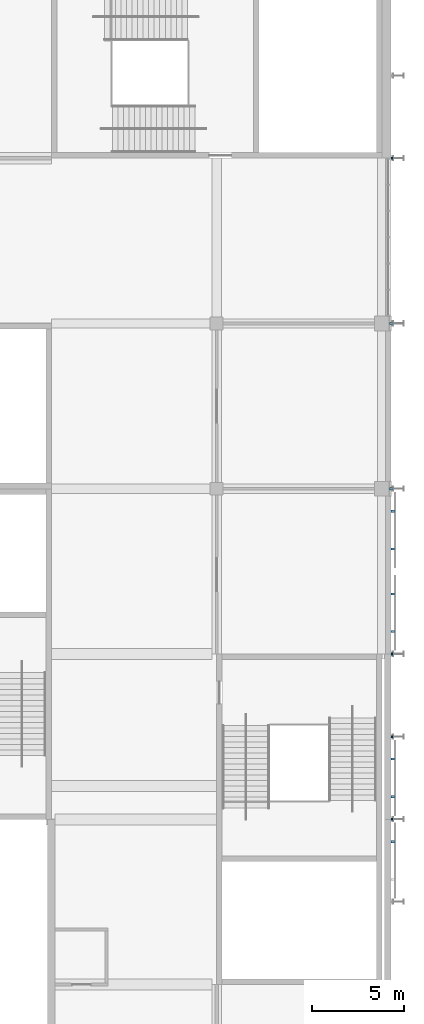
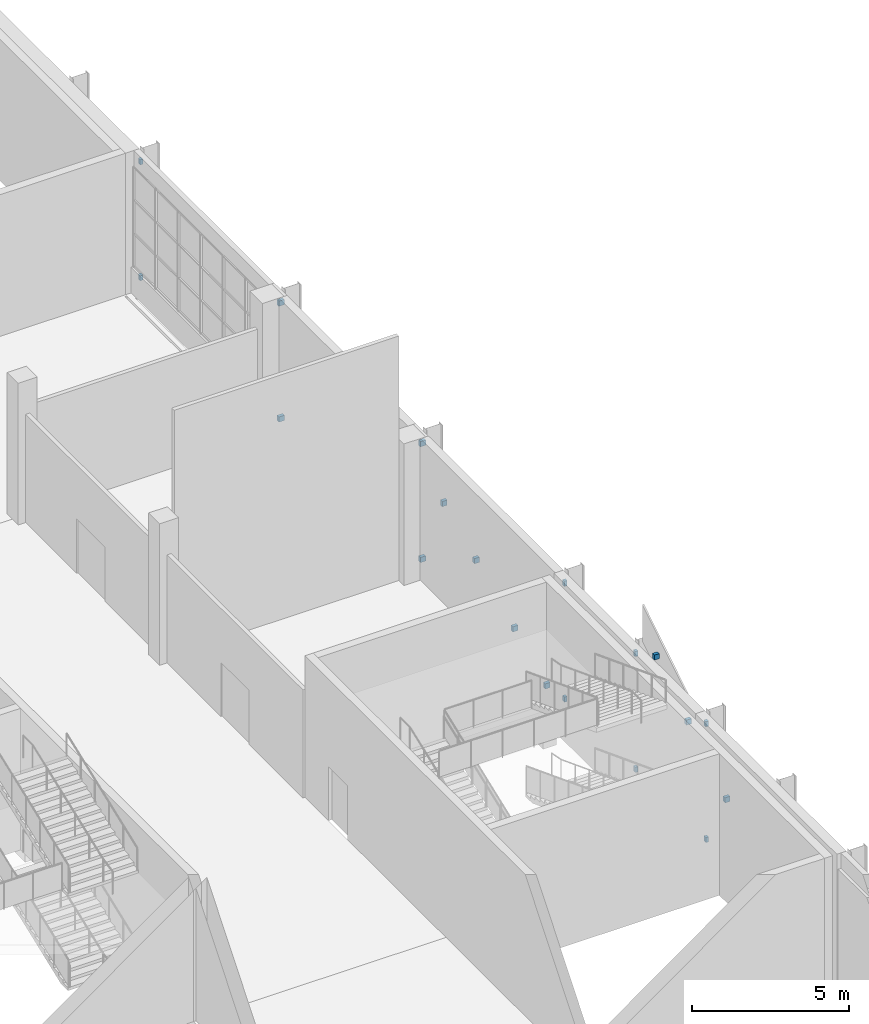
# One storey, part 58 of 84: 19 discrete accessories.
"""IFC4 building model written with IfcOpenShell, lengths in metres."""

from ifc_helpers import new_model, si_unit, direction, frame, origin, origin_2d, place, context, subcontext, project, spatial, rectangle, extrude, material, type_object, element, save


model = new_model("IFC4")

# Units and contexts
model_context = context("Model", 3, precision=1e-05, world=origin(), true_north=direction((0.0, 1.0)))
body_context = subcontext(model_context, "Body", "Model", "MODEL_VIEW")
ifc_project = project(units=[si_unit("LENGTHUNIT", "METRE"), si_unit("AREAUNIT", "SQUARE_METRE"), si_unit("VOLUMEUNIT", "CUBIC_METRE"), si_unit("PLANEANGLEUNIT", "RADIAN"), si_unit("MASSUNIT", "GRAM", prefix="KILO")], contexts=[model_context])

# Site, building, storey
site_placement = place(None, origin())
site = spatial("IfcSite", under=ifc_project, at=site_placement, CompositionType="ELEMENT")
building_placement = place(site_placement, origin())
building = spatial("IfcBuilding", under=site, at=building_placement, Name="Silverbay Arena", CompositionType="ELEMENT")
storey_placement = place(building_placement, frame((0.0, 0.0, 28.0)))
storey = spatial("IfcBuildingStorey", under=building, at=storey_placement, Name="L04", CompositionType="ELEMENT", Elevation=28.0)

# Discrete accessories
ifc_material = material(Name="Steel S355", Category="steel")
discrete_accessory_type = type_object("IfcDiscreteAccessoryType", Name="Steel bracket plate", PredefinedType="BRACKET", material=ifc_material)
for number, where, z_axis, x_axis, name in (
    (1, (207.550048828125, 99.0, 0.39990234375), (0.0, 0.0, 1.0), (1.0, 0.0, 0.0), "Fin bracket"),
    (2, (207.550048828125, 99.0, 4.89990234375), (0.0, 0.0, 1.0), (1.0, 0.0, 0.0), "Fin bracket"),
    (3, (207.550048828125, 103.5, 0.39990234375), (0.0, 0.0, 1.0), (1.0, 0.0, 0.0), "Fin bracket"),
    (4, (207.550048828125, 103.5, 4.89990234375), (0.0, 0.0, 1.0), (1.0, 0.0, 0.0), "Fin bracket"),
    (5, (207.550048828125, 108.0, 0.39990234375), (0.0, 0.0, 1.0), (1.0, 0.0, 0.0), "Fin bracket"),
    (6, (207.550048828125, 108.0, 4.89990234375), (0.0, 0.0, 1.0), (1.0, 0.0, 0.0), "Fin bracket"),
):
    element("IfcDiscreteAccessory", number, at=place(storey_placement, frame(where, z_axis=z_axis, x_axis=x_axis)), inside=storey, type_object=discrete_accessory_type, Name=name, PredefinedType="BRACKET", context=body_context, shape_type="SweptSolid", body=[
        extrude(rectangle(XDim=0.10009765625, YDim=0.1201171875, at=origin_2d()), origin(), (0.0, 0.0, 1.0), 0.199951171875),
    ])
for number, where, z_axis, x_axis, name in (
    (7, (207.5, 117.0, 0.39990234375), (0.0, 0.0, 1.0), (1.0, 0.0, 0.0), "Fin bracket"),
    (8, (207.5, 117.0, 4.89990234375), (0.0, 0.0, 1.0), (1.0, 0.0, 0.0), "Fin bracket"),
    (9, (207.5, 126.0, 0.39990234375), (0.0, 0.0, 1.0), (1.0, 0.0, 0.0), "Fin bracket"),
    (10, (207.5, 126.0, 4.89990234375), (0.0, 0.0, 1.0), (1.0, 0.0, 0.0), "Fin bracket"),
):
    element("IfcDiscreteAccessory", number, at=place(storey_placement, frame(where, z_axis=z_axis, x_axis=x_axis)), inside=storey, type_object=discrete_accessory_type, Name=name, PredefinedType="BRACKET", context=body_context, shape_type="SweptSolid", body=[
        extrude(rectangle(XDim=0.199951171875, YDim=0.1201171875, at=origin_2d()), origin(), (0.0, 0.0, 1.0), 0.199951171875),
    ])
for number, where, z_axis, x_axis, name in (
    (11, (207.550048828125, 135.0, 0.39990234375), (0.0, 0.0, 1.0), (1.0, 0.0, 0.0), "Fin bracket"),
    (12, (207.550048828125, 135.0, 4.89990234375), (0.0, 0.0, 1.0), (1.0, 0.0, 0.0), "Fin bracket"),
):
    element("IfcDiscreteAccessory", number, at=place(storey_placement, frame(where, z_axis=z_axis, x_axis=x_axis)), inside=storey, type_object=discrete_accessory_type, Name=name, PredefinedType="BRACKET", context=body_context, shape_type="SweptSolid", body=[
        extrude(rectangle(XDim=0.10009765625, YDim=0.1201171875, at=origin_2d()), origin(), (0.0, 0.0, 1.0), 0.199951171875),
    ])
for number, where, z_axis, x_axis, name in (
    (13, (207.590087890625, 109.22509765625, 0.1708984375), (0.0, 0.0, 1.0), (1.0, 0.0, 0.0), "Band bracket"),
    (14, (207.590087890625, 111.27490234375, 1.14501953125), (0.0, 0.0, 1.0), (1.0, 0.0, 0.0), "Band bracket"),
    (15, (207.590087890625, 113.72509765625, 2.30859375), (0.0, 0.0, 1.0), (1.0, 0.0, 0.0), "Band bracket"),
    (16, (207.590087890625, 115.77490234375, 3.2822265625), (0.0, 0.0, 1.0), (1.0, 0.0, 0.0), "Band bracket"),
    (17, (207.590087890625, 97.77490234375, 2.69189453125), (0.0, 0.0, 1.0), (1.0, 0.0, 0.0), "Band bracket"),
    (18, (207.590087890625, 100.22509765625, 4.22314453125), (0.0, 0.0, 1.0), (1.0, 0.0, 0.0), "Band bracket"),
    (19, (207.590087890625, 102.27490234375, 5.50439453125), (0.0, 0.0, 1.0), (1.0, 0.0, 0.0), "Band bracket"),
):
    element("IfcDiscreteAccessory", number, at=place(storey_placement, frame(where, z_axis=z_axis, x_axis=x_axis)), inside=storey, type_object=discrete_accessory_type, Name=name, PredefinedType="BRACKET", context=body_context, shape_type="SweptSolid", body=[
        extrude(rectangle(XDim=0.179931640625, YDim=0.1201171875, at=origin_2d()), origin(), (0.0, 0.0, 1.0), 0.199951171875),
    ])

save(model, "model.ifc")
